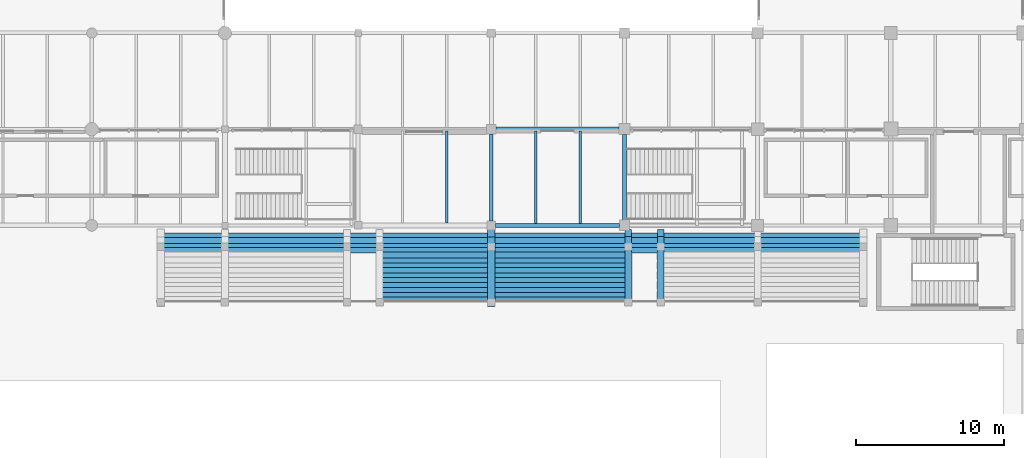
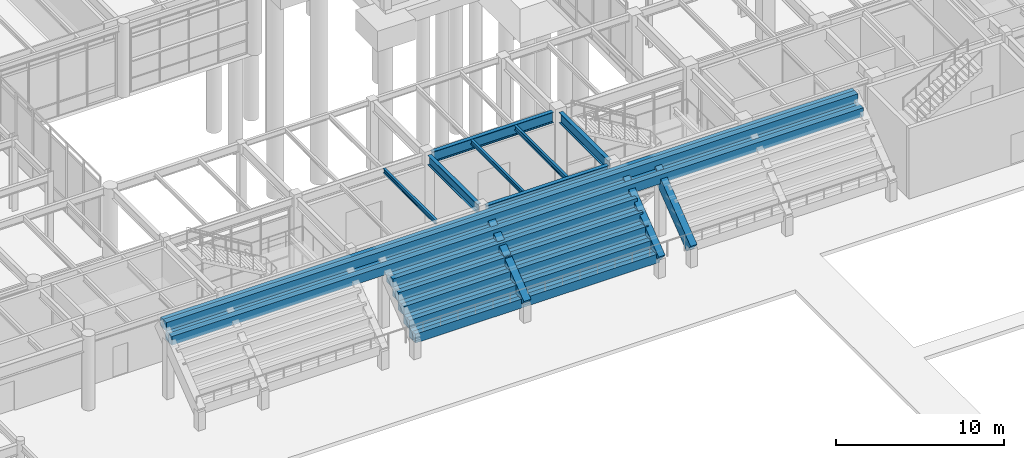
# One storey, part 80 of 203: 24 beams.
"""IFC4 building model written with IfcOpenShell, lengths in metres."""

from ifc_helpers import new_model, si_unit, direction, frame, origin, origin_2d, place, context, subcontext, project, spatial, rectangle, i_section, extrude, material, material_profile, profile_set, type_object, element, save


model = new_model("IFC4")

# Units and contexts
model_context = context("Model", 3, precision=1e-05, world=origin(), true_north=direction((0.0, 1.0)))
body_context = subcontext(model_context, "Body", "Model", "MODEL_VIEW")
ifc_project = project(units=[si_unit("LENGTHUNIT", "METRE"), si_unit("AREAUNIT", "SQUARE_METRE"), si_unit("VOLUMEUNIT", "CUBIC_METRE"), si_unit("PLANEANGLEUNIT", "RADIAN"), si_unit("MASSUNIT", "GRAM", prefix="KILO"), si_unit("THERMODYNAMICTEMPERATUREUNIT", "KELVIN"), si_unit("POWERUNIT", "WATT")], contexts=[model_context])

# Site, building, storey
site_placement = place(None, origin())
site = spatial("IfcSite", under=ifc_project, at=site_placement, CompositionType="ELEMENT")
building_placement = place(site_placement, origin())
building = spatial("IfcBuilding", under=site, at=building_placement, Name="Tepalcoro Natatorium and Aquatics Centre", CompositionType="ELEMENT")
storey_placement = place(building_placement, origin())
storey = spatial("IfcBuildingStorey", under=building, at=storey_placement, Name="L00", CompositionType="ELEMENT", Elevation=0.0)

# Beams
ifc_material_1 = material(Name="Concrete C40/50 (fc 40 MPa)", Category="concrete")
ifc_material_profile_1 = material_profile(ifc_material_1, rectangle(XDim=0.39990234375, YDim=0.64990234375, at=origin_2d()), Name="RCB400x650")
ifc_profile_set_1 = profile_set([ifc_material_profile_1], Name="Concrete C40/50 (fc 40 MPa)")
beam_type_1 = type_object("IfcBeamType", Name="BM_RC_400x650", PredefinedType="BEAM", material=ifc_profile_set_1)
for number, where, z_axis, x_axis, name in (
    (1, (81.449951171875, 54.0, 1.300048828125), (1.0, 0.0, 0.0), (0.0, 1.0, 0.0), "Spectator Tier Stringer Beam N-1C-F"),
    (2, (81.449951171875, 54.34423828125, 1.300048828125), (1.0, 0.0, 0.0), (0.0, 1.0, 0.0), "Spectator Tier Stringer Beam N-1C-B"),
    (3, (81.449951171875, 54.664306640625, 1.89990234375), (1.0, 0.0, 0.0), (0.0, 1.0, 0.0), "Spectator Tier Stringer Beam N-2C-F"),
    (4, (81.449951171875, 55.008544921875, 1.89990234375), (1.0, 0.0, 0.0), (0.0, 1.0, 0.0), "Spectator Tier Stringer Beam N-2C-B"),
    (5, (81.449951171875, 55.32861328125, 2.5), (1.0, 0.0, 0.0), (0.0, 1.0, 0.0), "Spectator Tier Stringer Beam N-3C-F"),
    (6, (81.449951171875, 55.6728515625, 2.5), (1.0, 0.0, 0.0), (0.0, 1.0, 0.0), "Spectator Tier Stringer Beam N-3C-B"),
    (7, (81.449951171875, 55.992919921875, 3.10009765625), (1.0, 0.0, 0.0), (0.0, 1.0, 0.0), "Spectator Tier Stringer Beam N-4C-F"),
    (8, (81.449951171875, 56.337158203125, 3.10009765625), (1.0, 0.0, 0.0), (0.0, 1.0, 0.0), "Spectator Tier Stringer Beam N-4C-B"),
    (9, (81.449951171875, 56.6572265625, 3.699951171875), (1.0, 0.0, 0.0), (0.0, 1.0, 0.0), "Spectator Tier Stringer Beam N-5C-F"),
    (10, (81.449951171875, 57.00146484375, 3.699951171875), (1.0, 0.0, 0.0), (0.0, 1.0, 0.0), "Spectator Tier Stringer Beam N-5C-B"),
):
    element("IfcBeam", number, at=place(storey_placement, frame(where, z_axis=z_axis, x_axis=x_axis)), inside=storey, type_object=beam_type_1, Name=name, PredefinedType="BEAM", context=body_context, shape_type="SweptSolid", body=[
        extrude(rectangle(XDim=0.39990234375, YDim=0.64990234375, at=origin_2d()), origin(), (0.0, 0.0, 1.0), 16.800048828125),
    ])
for number, where, z_axis, x_axis, name in (
    (11, (66.64990234375, 57.321533203125, 4.300048828125), (1.0, 0.0, 0.0), (0.0, 1.0, 0.0), "Spectator Tier Stringer Beam N-6F"),
    (12, (66.64990234375, 57.665771484375, 4.300048828125), (1.0, 0.0, 0.0), (0.0, 1.0, 0.0), "Spectator Tier Stringer Beam N-6B"),
    (13, (66.64990234375, 57.985595703125, 4.89990234375), (1.0, 0.0, 0.0), (0.0, 1.0, 0.0), "Spectator Tier Stringer Beam N-7F"),
    (14, (66.64990234375, 58.27001953125, 4.89990234375), (1.0, 0.0, 0.0), (0.0, 1.0, 0.0), "Spectator Tier Stringer Beam N-7B"),
):
    element("IfcBeam", number, at=place(storey_placement, frame(where, z_axis=z_axis, x_axis=x_axis)), inside=storey, type_object=beam_type_1, Name=name, PredefinedType="BEAM", context=body_context, shape_type="SweptSolid", body=[
        extrude(rectangle(XDim=0.39990234375, YDim=0.64990234375, at=origin_2d()), origin(), (0.0, 0.0, 1.0), 47.5),
    ])
ifc_material_2 = material(Name="Steel ASTM A992 Grade 50 (Fy 345 MPa)", Category="steel")
ifc_material_profile_2 = material_profile(ifc_material_2, i_section(OverallWidth=0.25390625, OverallDepth=0.700927734375, WebThickness=0.014892578125, FlangeThickness=0.028076171875, FilletRadius=0.013916015625, at=origin_2d()), Name="W27X129")
ifc_profile_set_2 = profile_set([ifc_material_profile_2], Name="Steel ASTM A992 Grade 50 (Fy 345 MPa)")
beam_type_2 = type_object("IfcBeamType", Name="BM_W27x129", PredefinedType="BEAM", material=ifc_profile_set_2)
beam_1_placement = place(storey_placement, frame((89.0, 59.284912109375, 4.7744140625), z_axis=(0.0, 1.0, 0.0), x_axis=(-1.0, 0.0, 0.0)))
element("IfcBeam", 15, at=beam_1_placement, inside=storey, type_object=beam_type_2, Name="V1 L00 Grid Girder Y", PredefinedType="BEAM", context=body_context, shape_type="SweptSolid", body=[
    extrude(i_section(OverallWidth=0.25390625, OverallDepth=0.700927734375, WebThickness=0.014892578125, FlangeThickness=0.028076171875, FilletRadius=0.013916015625, at=origin_2d()), origin(), (0.0, 0.0, 1.0), 5.905029296875),
])
ifc_material_profile_3 = material_profile(ifc_material_2, i_section(OverallWidth=0.26708984375, OverallDepth=0.761962890625, WebThickness=0.013916015625, FlangeThickness=0.02197265625, FilletRadius=0.013916015625, at=origin_2d()), Name="W30X116")
ifc_profile_set_3 = profile_set([ifc_material_profile_3], Name="Steel ASTM A992 Grade 50 (Fy 345 MPa)")
beam_type_3 = type_object("IfcBeamType", Name="BM_W30x116", PredefinedType="BEAM", material=ifc_profile_set_3)
beam_2_placement = place(storey_placement, frame((89.284912109375, 59.0, 4.743896484375), z_axis=(1.0, 0.0, 0.0), x_axis=(0.0, 1.0, 0.0)))
element("IfcBeam", 16, at=beam_2_placement, inside=storey, type_object=beam_type_3, Name="V1 L00 Grid Girder X", PredefinedType="BEAM", context=body_context, shape_type="SweptSolid", body=[
    extrude(i_section(OverallWidth=0.26708984375, OverallDepth=0.761962890625, WebThickness=0.013916015625, FlangeThickness=0.02197265625, FilletRadius=0.013916015625, at=origin_2d()), origin(), (0.0, 0.0, 1.0), 8.380126953125),
])
beam_3_placement = place(storey_placement, frame((98.0, 59.3349609375, 4.743896484375), z_axis=(0.0, 1.0, 0.0), x_axis=(-1.0, 0.0, 0.0)))
element("IfcBeam", 17, at=beam_3_placement, inside=storey, type_object=beam_type_3, Name="V1 L00 Grid Girder Y", PredefinedType="BEAM", context=body_context, shape_type="SweptSolid", body=[
    extrude(i_section(OverallWidth=0.26708984375, OverallDepth=0.761962890625, WebThickness=0.013916015625, FlangeThickness=0.02197265625, FilletRadius=0.013916015625, at=origin_2d()), origin(), (0.0, 0.0, 1.0), 5.804931640625),
])
ifc_material_profile_4 = material_profile(ifc_material_2, i_section(OverallWidth=0.26708984375, OverallDepth=0.780029296875, WebThickness=0.01708984375, FlangeThickness=0.030029296875, FilletRadius=0.013916015625, at=origin_2d()), Name="W30X148")
ifc_profile_set_4 = profile_set([ifc_material_profile_4], Name="Steel ASTM A992 Grade 50 (Fy 345 MPa)")
beam_type_4 = type_object("IfcBeamType", Name="BM_W30x148", PredefinedType="BEAM", material=ifc_profile_set_4)
beam_4_placement = place(storey_placement, frame((89.31005859375, 65.5, 4.695068359375), z_axis=(1.0, 0.0, 0.0), x_axis=(0.0, 1.0, 0.0)))
element("IfcBeam", 18, at=beam_4_placement, inside=storey, type_object=beam_type_4, Name="V1 L00 Grid Girder X", PredefinedType="BEAM", context=body_context, shape_type="SweptSolid", body=[
    extrude(i_section(OverallWidth=0.26708984375, OverallDepth=0.780029296875, WebThickness=0.01708984375, FlangeThickness=0.030029296875, FilletRadius=0.013916015625, at=origin_2d()), origin(), (0.0, 0.0, 1.0), 8.329833984375),
])
ifc_material_profile_5 = material_profile(ifc_material_2, i_section(OverallWidth=0.1669921875, OverallDepth=0.318115234375, WebThickness=0.008056640625, FlangeThickness=0.012939453125, FilletRadius=0.013916015625, at=origin_2d()), Name="W12X35")
ifc_profile_set_5 = profile_set([ifc_material_profile_5], Name="Steel ASTM A992 Grade 50 (Fy 345 MPa)")
beam_type_5 = type_object("IfcBeamType", Name="JS_W12x35", PredefinedType="JOIST", material=ifc_profile_set_5)
beam_5_placement = place(storey_placement, frame((86.0, 59.16259765625, 4.926025390625), z_axis=(0.0, 1.0, 0.0), x_axis=(-1.0, 0.0, 0.0)))
element("IfcBeam", 19, at=beam_5_placement, inside=storey, type_object=beam_type_5, Name="V1 L00 Floor Joist", PredefinedType="JOIST", context=body_context, shape_type="SweptSolid", body=[
    extrude(i_section(OverallWidth=0.1669921875, OverallDepth=0.318115234375, WebThickness=0.008056640625, FlangeThickness=0.012939453125, FilletRadius=0.013916015625, at=origin_2d()), origin(), (0.0, 0.0, 1.0), 6.21044921875),
])
beam_6_placement = place(storey_placement, frame((92.0, 59.133544921875, 4.926025390625), z_axis=(0.0, 1.0, 0.0), x_axis=(-1.0, 0.0, 0.0)))
element("IfcBeam", 20, at=beam_6_placement, inside=storey, type_object=beam_type_5, Name="V1 L00 Floor Joist", PredefinedType="JOIST", context=body_context, shape_type="SweptSolid", body=[
    extrude(i_section(OverallWidth=0.1669921875, OverallDepth=0.318115234375, WebThickness=0.008056640625, FlangeThickness=0.012939453125, FilletRadius=0.013916015625, at=origin_2d()), origin(), (0.0, 0.0, 1.0), 6.23291015625),
])
ifc_material_profile_6 = material_profile(ifc_material_2, i_section(OverallWidth=0.1708984375, OverallDepth=0.35107421875, WebThickness=0.007080078125, FlangeThickness=0.010009765625, FilletRadius=0.013916015625, at=origin_2d()), Name="W14X30")
ifc_profile_set_6 = profile_set([ifc_material_profile_6], Name="Steel ASTM A992 Grade 50 (Fy 345 MPa)")
beam_type_6 = type_object("IfcBeamType", Name="JS_W14x30", PredefinedType="JOIST", material=ifc_profile_set_6)
beam_7_placement = place(storey_placement, frame((95.0, 59.133544921875, 4.909423828125), z_axis=(0.0, 1.0, 0.0), x_axis=(-1.0, 0.0, 0.0)))
element("IfcBeam", 21, at=beam_7_placement, inside=storey, type_object=beam_type_6, Name="V1 L00 Floor Joist", PredefinedType="JOIST", context=body_context, shape_type="SweptSolid", body=[
    extrude(i_section(OverallWidth=0.1708984375, OverallDepth=0.35107421875, WebThickness=0.007080078125, FlangeThickness=0.010009765625, FilletRadius=0.013916015625, at=origin_2d()), origin(), (0.0, 0.0, 1.0), 6.23291015625),
])
ifc_material_profile_7 = material_profile(ifc_material_1, rectangle(XDim=0.449951171875, YDim=0.800048828125, at=origin_2d()), Name="RKR450x800")
ifc_profile_set_7 = profile_set([ifc_material_profile_7], Name="Concrete C40/50 (fc 40 MPa)")
beam_type_7 = type_object("IfcBeamType", Name="RK_RC_450x800", PredefinedType="USERDEFINED", material=ifc_profile_set_7)
for number, where, z_axis, x_axis, name in (
    (22, (98.25, 53.800048828125, 1.25), (0.0, 0.793431117483, 0.608660054389), (-1.0, 0.0, 0.0), "Spectator Bowl Raker Beam N-6"),
    (23, (100.449951171875, 53.800048828125, 1.25), (0.0, 0.793431117483, 0.608660054389), (-1.0, 0.0, 0.0), "Spectator Bowl Raker Beam N-7"),
):
    element("IfcBeam", number, at=place(storey_placement, frame(where, z_axis=z_axis, x_axis=x_axis)), inside=storey, type_object=beam_type_7, Name=name, ObjectType="RAKER", PredefinedType="USERDEFINED", context=body_context, shape_type="SweptSolid", body=[
        extrude(rectangle(XDim=0.449951171875, YDim=0.800048828125, at=origin_2d()), origin(), (0.0, 0.0, 1.0), 5.8984375),
    ])
ifc_material_profile_8 = material_profile(ifc_material_1, rectangle(XDim=0.5, YDim=0.89990234375, at=origin_2d()), Name="RKR500x900")
ifc_profile_set_8 = profile_set([ifc_material_profile_8], Name="Concrete C40/50 (fc 40 MPa)")
beam_type_8 = type_object("IfcBeamType", Name="RK_RC_500x900", PredefinedType="USERDEFINED", material=ifc_profile_set_8)
beam_8_placement = place(storey_placement, frame((89.0, 53.800048828125, 1.25), z_axis=(0.0, 0.793431117483, 0.608660054389), x_axis=(-1.0, 0.0, 0.0)))
element("IfcBeam", 24, at=beam_8_placement, inside=storey, type_object=beam_type_8, Name="Spectator Bowl Raker Beam N-5", ObjectType="RAKER", PredefinedType="USERDEFINED", context=body_context, shape_type="SweptSolid", body=[
    extrude(rectangle(XDim=0.5, YDim=0.89990234375, at=origin_2d()), origin(), (0.0, 0.0, 1.0), 5.8984375),
])

save(model, "model.ifc")
